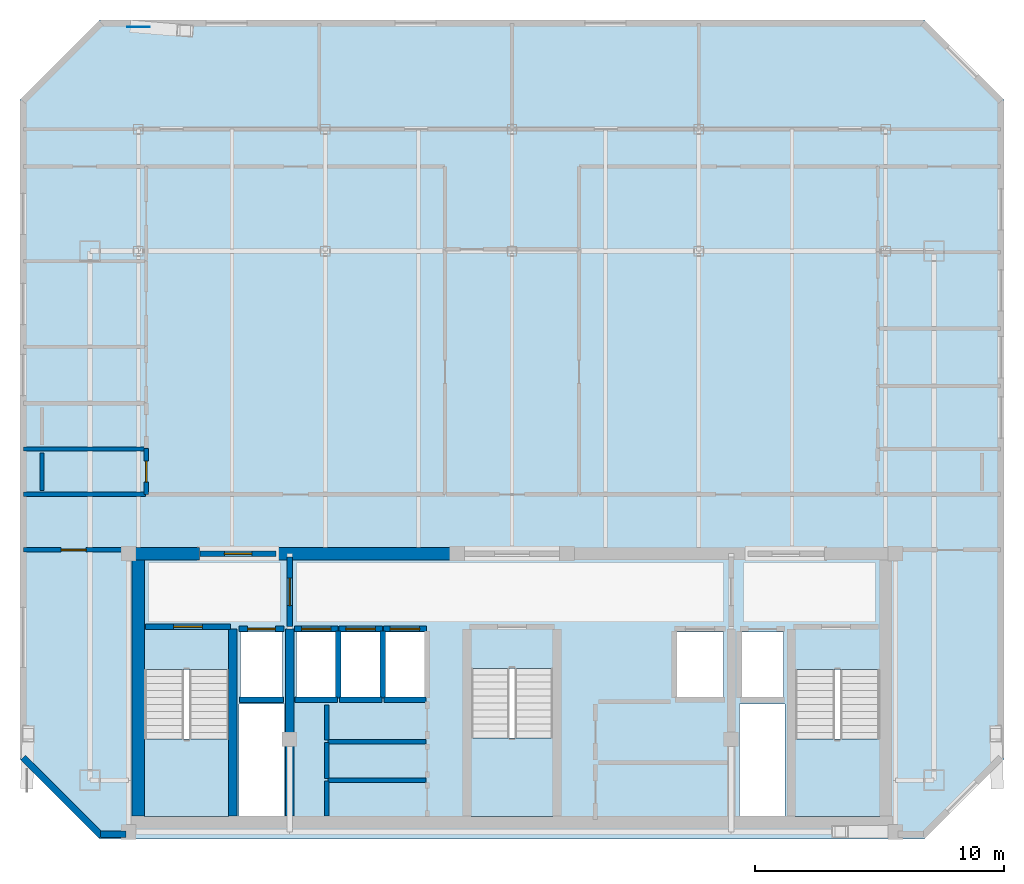
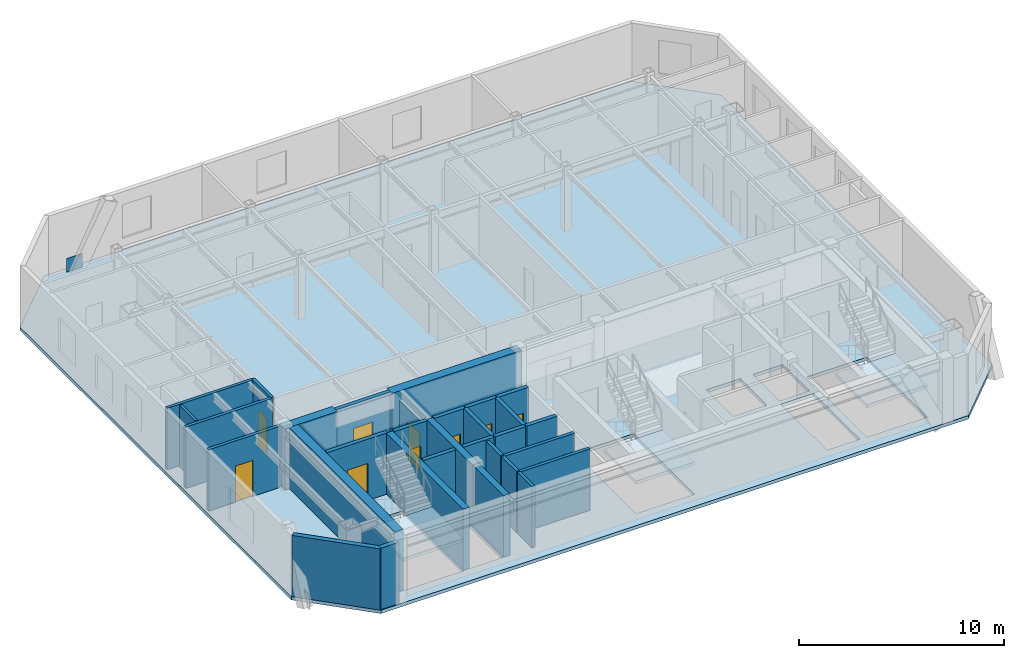
# One storey, part 2 of 7: 30 walls, 9 doors, 4 slabs, 1 plate, 9 openings, 3 elements without a shape of their own.
"""IFC4 building model written with IfcOpenShell, lengths in metres."""

from ifc_helpers import new_model, si_unit, direction, frame, frame_2d, origin, origin_2d, place, context, subcontext, project, spatial, polyline, rectangle, outline, extrude, material, layer, layer_set, type_object, element, fill, aggregate, save


model = new_model("IFC4")

# Units and contexts
model_context = context("Model", 3, precision=1e-05, world=origin(), true_north=direction((0.0, 1.0)))
body_context = subcontext(model_context, "Body", "Model", "MODEL_VIEW")
ifc_project = project(units=[si_unit("LENGTHUNIT", "METRE"), si_unit("AREAUNIT", "SQUARE_METRE"), si_unit("VOLUMEUNIT", "CUBIC_METRE"), si_unit("PLANEANGLEUNIT", "RADIAN"), si_unit("MASSUNIT", "GRAM", prefix="KILO")], contexts=[model_context])

# Site, building, storey
site_placement = place(None, origin())
site = spatial("IfcSite", under=ifc_project, at=site_placement, CompositionType="ELEMENT")
building_placement = place(site_placement, origin())
building = spatial("IfcBuilding", under=site, at=building_placement, Name="Ventersveld Concourse Tower", CompositionType="ELEMENT")
storey_placement = place(building_placement, frame((0.0, 0.0, 316.89990234375)))
storey = spatial("IfcBuildingStorey", under=building, at=storey_placement, Name="L78", CompositionType="ELEMENT", Elevation=316.89990234375)

# Plate
ifc_material_1 = material(Name="Structural steel S355J2", Category="steel")
ifc_layer_1 = layer(ifc_material_1, 0.030029296875)
ifc_layer_set_1 = layer_set([ifc_layer_1], Name="Structural steel S355J2")
plate_type = type_object("IfcPlateType", Name="PL-CAP-30", PredefinedType="USERDEFINED", material=ifc_layer_set_1)
plate_placement = place(storey_placement, frame((13.75, 32.601806640625, -0.099853515625), z_axis=(0.0, 0.0, 1.0), x_axis=(1.0, 0.0, 0.0)))
element("IfcPlate", 1, at=plate_placement, inside=storey, type_object=plate_type, Name="L78 Mega-Brace Gusset Node Plate M19-N", ObjectType="GUSSET_PLATE", PredefinedType="USERDEFINED", context=body_context, shape_type="SweptSolid", body=[
    extrude(rectangle(XDim=0.89990234375, YDim=0.030029296875, at=origin_2d()), origin(), (0.0, 0.0, 1.0), 0.89990234375),
])

# Slab
ifc_material_2 = material(Name="Concrete C50/60", Category="concrete")
ifc_layer_2 = layer(ifc_material_2, 0.199951171875)
ifc_layer_set_2 = layer_set([ifc_layer_2], Name="Concrete C50/60")
slab_type_1 = type_object("IfcSlabType", Name="SL-FLR-200", PredefinedType="FLOOR", material=ifc_layer_set_2)
slab_1_placement = place(storey_placement, frame((0.0, 0.0, -0.199951171875)))
element("IfcSlab", 2, at=slab_1_placement, inside=storey, type_object=slab_type_1, Name="L78 Composite Floor Slab", PredefinedType="FLOOR", context=body_context, shape_type="SweptSolid", body=[
    extrude(outline(polyline([(12.193115234375, 0.0), (45.306884765625, 0.0), (48.507080078125, 3.199951171875), (48.507080078125, 29.681884765625), (45.306884765625, 32.8818359375), (12.193115234375, 32.8818359375), (8.992919921875, 29.681884765625), (8.992919921875, 3.199951171875), (12.193115234375, 0.0)]), holes=[polyline([(13.97998046875, 6.794921875), (13.97998046875, 0.89990234375), (17.3798828125, 0.89990234375), (17.3798828125, 6.794921875), (13.97998046875, 6.794921875)]), polyline([(40.1201171875, 6.794921875), (40.1201171875, 0.89990234375), (43.52001953125, 0.89990234375), (43.52001953125, 6.794921875), (40.1201171875, 6.794921875)]), polyline([(27.10009765625, 6.844970703125), (27.10009765625, 0.89990234375), (30.39990234375, 0.89990234375), (30.39990234375, 6.844970703125), (27.10009765625, 6.844970703125)]), polyline([(17.85009765625, 5.699951171875), (19.530029296875, 5.699951171875), (19.530029296875, 8.300048828125), (17.85009765625, 8.300048828125), (17.85009765625, 5.699951171875)]), polyline([(37.969970703125, 5.699951171875), (39.64990234375, 5.699951171875), (39.64990234375, 8.300048828125), (37.969970703125, 8.300048828125), (37.969970703125, 5.699951171875)]), polyline([(35.35009765625, 5.699951171875), (37.25, 5.699951171875), (37.25, 8.300048828125), (35.35009765625, 8.300048828125), (35.35009765625, 5.699951171875)]), polyline([(20.090087890625, 5.699951171875), (21.68994140625, 5.699951171875), (21.68994140625, 8.300048828125), (20.090087890625, 8.300048828125), (20.090087890625, 5.699951171875)]), polyline([(21.8701171875, 5.699951171875), (23.469970703125, 5.699951171875), (23.469970703125, 8.300048828125), (21.8701171875, 8.300048828125), (21.8701171875, 5.699951171875)]), polyline([(23.64990234375, 5.699951171875), (25.25, 5.699951171875), (25.25, 8.300048828125), (23.64990234375, 8.300048828125), (23.64990234375, 5.699951171875)]), polyline([(17.780029296875, 0.919921875), (19.6201171875, 0.919921875), (19.6201171875, 5.419921875), (17.780029296875, 5.419921875), (17.780029296875, 0.919921875)]), polyline([(37.8798828125, 0.919921875), (39.719970703125, 0.919921875), (39.719970703125, 5.419921875), (37.8798828125, 5.419921875), (37.8798828125, 0.919921875)])]), origin(), (0.0, 0.0, 1.0), 0.199951171875),
])

# Stair, slab
stair_type_1 = type_object("IfcStairType", Name="ST-DOG-160", PredefinedType="HALF_TURN_STAIR", material=ifc_material_2)
stair_1_placement = place(storey_placement, origin())
stair_1 = element("IfcStair", 3, at=stair_1_placement, inside=storey, type_object=stair_type_1, Name="L78 Protected Tower Escape Stair ST-01", PredefinedType="HALF_TURN_STAIR")
ifc_layer_3 = layer(ifc_material_2, 0.199951171875)
ifc_layer_set_3 = layer_set([ifc_layer_3], Name="Concrete C50/60")
slab_type_2 = type_object("IfcSlabType", Name="SL-LND-200", PredefinedType="LANDING", material=ifc_layer_set_3)
slab_2_placement = place(storey_placement, frame((0.0, 0.0, 1.72509765625)))
slab_2 = element("IfcSlab", 4, at=slab_2_placement, type_object=slab_type_2, Name="ST-01 landing 1", PredefinedType="LANDING", context=body_context, shape_type="SweptSolid", body=[
    extrude(outline(polyline([(13.97998046875, 4.0), (13.97998046875, 0.89990234375), (17.3798828125, 0.89990234375), (17.3798828125, 4.0), (13.97998046875, 4.0)])), origin(), (0.0, 0.0, 1.0), 0.199951171875),
])
aggregate(stair_1, [slab_2])

stair_2_placement = place(storey_placement, origin())
stair_2 = element("IfcStair", 5, at=stair_2_placement, inside=storey, type_object=stair_type_1, Name="L78 Protected Tower Escape Stair ST-02", PredefinedType="HALF_TURN_STAIR")
slab_3_placement = place(storey_placement, frame((0.0, 0.0, 1.72509765625)))
slab_3 = element("IfcSlab", 6, at=slab_3_placement, type_object=slab_type_2, Name="ST-02 landing 1", PredefinedType="LANDING", context=body_context, shape_type="SweptSolid", body=[
    extrude(outline(polyline([(40.1201171875, 4.0), (40.1201171875, 0.89990234375), (43.52001953125, 0.89990234375), (43.52001953125, 4.0), (40.1201171875, 4.0)])), origin(), (0.0, 0.0, 1.0), 0.199951171875),
])
aggregate(stair_2, [slab_3])

stair_type_2 = type_object("IfcStairType", Name="ST-DOG-155", PredefinedType="HALF_TURN_STAIR", material=ifc_material_2)
stair_3_placement = place(storey_placement, origin())
stair_3 = element("IfcStair", 7, at=stair_3_placement, inside=storey, type_object=stair_type_2, Name="L78 Protected Central Core Escape Stair ST-03", PredefinedType="HALF_TURN_STAIR")
slab_4_placement = place(storey_placement, frame((0.0, 0.0, 1.72509765625)))
slab_4 = element("IfcSlab", 8, at=slab_4_placement, type_object=slab_type_2, Name="ST-03 landing 1", PredefinedType="LANDING", context=body_context, shape_type="SweptSolid", body=[
    extrude(outline(polyline([(27.10009765625, 4.050048828125), (27.10009765625, 0.89990234375), (30.39990234375, 0.89990234375), (30.39990234375, 4.050048828125), (27.10009765625, 4.050048828125)])), origin(), (0.0, 0.0, 1.0), 0.199951171875),
])
aggregate(stair_3, [slab_4])

# Walls
ifc_layer_4 = layer(ifc_material_2, 0.35009765625)
ifc_layer_set_4 = layer_set([ifc_layer_4], Name="Concrete C50/60")
wall_type_1 = type_object("IfcWallType", Name="WL-CORE-350U", PredefinedType="SHEAR", material=ifc_layer_set_4)
for number, where, z_axis, x_axis, name in (
    (9, (17.5400390625, 0.919921875, 0.0), (0.0, 0.0, 1.0), (0.0, 1.0, 0.0), "L78 Core Internal Shear Web W-ST1-E"),
    (10, (19.820068359375, 0.919921875, 0.0), (0.0, 0.0, 1.0), (0.0, 1.0, 0.0), "L78 Core Internal Shear Web W-FF1-E"),
):
    element("IfcWall", number, at=place(storey_placement, frame(where, z_axis=z_axis, x_axis=x_axis)), inside=storey, type_object=wall_type_1, Name=name, PredefinedType="SHEAR", context=body_context, shape_type="SweptSolid", body=[
        extrude(rectangle(XDim=7.5, YDim=0.35009765625, at=frame_2d((3.75, 0.0))), origin(), (0.0, 0.0, 1.0), 3.650146484375),
    ])
ifc_layer_5 = layer(ifc_material_2, 0.5)
ifc_layer_set_5 = layer_set([ifc_layer_5], Name="Concrete C50/60")
wall_type_2 = type_object("IfcWallType", Name="WL-CORE-500", PredefinedType="SHEAR", material=ifc_layer_set_5)
wall_1_placement = place(storey_placement, frame((13.75, 0.919921875, 0.0), z_axis=(0.0, 0.0, 1.0), x_axis=(0.0, 1.0, 0.0)))
element("IfcWall", 11, at=wall_1_placement, inside=storey, type_object=wall_type_2, Name="L78 Rear Core West Shear Wall", PredefinedType="SHEAR", context=body_context, shape_type="SweptSolid", body=[
    extrude(rectangle(XDim=10.530029296875, YDim=0.5, at=frame_2d((5.26513671875, 0.0))), origin(), (0.0, 0.0, 1.0), 3.650146484375),
])
wall_2_placement = place(storey_placement, frame((13.25, 11.449951171875, 0.0), z_axis=(0.0, 0.0, 1.0), x_axis=(1.0, 0.0, 0.0)))
element("IfcWall", 12, at=wall_2_placement, inside=storey, type_object=wall_type_2, Name="L78 Rear Core North Shear Wall NW", PredefinedType="SHEAR", context=body_context, shape_type="SweptSolid", body=[
    extrude(rectangle(XDim=2.949951171875, YDim=0.5, at=frame_2d((1.47509765625, 0.0))), origin(), (0.0, 0.0, 1.0), 3.650146484375),
])
wall_3_placement = place(storey_placement, frame((19.300048828125, 11.449951171875, 0.0), z_axis=(0.0, 0.0, 1.0), x_axis=(1.0, 0.0, 0.0)))
element("IfcWall", 13, at=wall_3_placement, inside=storey, type_object=wall_type_2, Name="L78 Rear Core North Shear Wall NML", PredefinedType="SHEAR", context=body_context, shape_type="SweptSolid", body=[
    extrude(rectangle(XDim=7.300048828125, YDim=0.5, at=frame_2d((3.64990234375, 0.0))), origin(), (0.0, 0.0, 1.0), 3.650146484375),
])
ifc_material_3 = material(Name="Fire-rated autoclaved aerated masonry blockwork", Category="masonry")
ifc_layer_6 = layer(ifc_material_3, 0.179931640625)
ifc_layer_set_6 = layer_set([ifc_layer_6], Name="Fire-rated autoclaved aerated masonry blockwork")
wall_type_3 = type_object("IfcWallType", Name="WL-CORR-180", PredefinedType="PARTITIONING", material=ifc_layer_set_6)
wall_4_placement = place(storey_placement, frame((21.360107421875, 2.360107421875, 0.0), z_axis=(0.0, 0.0, 1.0), x_axis=(1.0, 0.0, 0.0)))
element("IfcWall", 14, at=wall_4_placement, inside=storey, type_object=wall_type_3, Name="L78 Core Top Wall SP-L78-RECB1S", PredefinedType="PARTITIONING", context=body_context, shape_type="SweptSolid", body=[
    extrude(rectangle(XDim=3.93994140625, YDim=0.179931640625, at=frame_2d((1.969970703125, 0.0))), origin(), (0.0, 0.0, 1.0), 3.650146484375),
])
wall_5_placement = place(storey_placement, frame((21.320068359375, 0.909912109375, 0.0), z_axis=(0.0, 0.0, 1.0), x_axis=(0.0, 1.0, 0.0)))
element("IfcWall", 15, at=wall_5_placement, inside=storey, type_object=wall_type_3, Name="L78 Core West Wall SP-L78-RECB1S", PredefinedType="PARTITIONING", context=body_context, shape_type="SweptSolid", body=[
    extrude(rectangle(XDim=1.41015625, YDim=0.179931640625, at=frame_2d((0.705078125, 0.0))), origin(), (0.0, 0.0, 1.0), 3.650146484375),
])
wall_6_placement = place(storey_placement, frame((21.360107421875, 3.89990234375, 0.0), z_axis=(0.0, 0.0, 1.0), x_axis=(1.0, 0.0, 0.0)))
element("IfcWall", 16, at=wall_6_placement, inside=storey, type_object=wall_type_3, Name="L78 Core Top Wall SP-L78-RECB1M", PredefinedType="PARTITIONING", context=body_context, shape_type="SweptSolid", body=[
    extrude(rectangle(XDim=3.93994140625, YDim=0.179931640625, at=frame_2d((1.969970703125, 0.0))), origin(), (0.0, 0.0, 1.0), 3.650146484375),
])
wall_7_placement = place(storey_placement, frame((21.320068359375, 2.419921875, 0.0), z_axis=(0.0, 0.0, 1.0), x_axis=(0.0, 1.0, 0.0)))
element("IfcWall", 17, at=wall_7_placement, inside=storey, type_object=wall_type_3, Name="L78 Core West Wall SP-L78-RECB1M", PredefinedType="PARTITIONING", context=body_context, shape_type="SweptSolid", body=[
    extrude(rectangle(XDim=1.440185546875, YDim=0.179931640625, at=frame_2d((0.72021484375, 0.0))), origin(), (0.0, 0.0, 1.0), 3.650146484375),
])
wall_8_placement = place(storey_placement, frame((21.320068359375, 3.9599609375, 0.0), z_axis=(0.0, 0.0, 1.0), x_axis=(0.0, 1.0, 0.0)))
element("IfcWall", 18, at=wall_8_placement, inside=storey, type_object=wall_type_3, Name="L78 Core West Wall SP-L78-RECB1N", PredefinedType="PARTITIONING", context=body_context, shape_type="SweptSolid", body=[
    extrude(rectangle(XDim=1.419921875, YDim=0.179931640625, at=frame_2d((0.7099609375, 0.0))), origin(), (0.0, 0.0, 1.0), 3.650146484375),
])

# Wall, opening, door
wall_9_placement = place(storey_placement, frame((9.142578125, 11.60009765625, 0.0), z_axis=(0.0, 0.0, 1.0), x_axis=(1.0, 0.0, 0.0)))
wall_9 = element("IfcWall", 19, at=wall_9_placement, inside=storey, type_object=wall_type_3, Name="L78 Interior Partition SP-L78-SW-GAL-SP-L78-COR", PredefinedType="PARTITIONING", context=body_context, shape_type="SweptSolid", body=[
    extrude(rectangle(XDim=4.00244140625, YDim=0.179931640625, at=frame_2d((2.001220703125, 0.0))), origin(), (0.0, 0.0, 1.0), 3.650146484375),
])
opening_1_placement = place(wall_9_placement, frame((1.501220703125, 0.0, 0.0)))
opening_1 = element("IfcOpeningElement", 20, at=opening_1_placement, cuts=wall_9, Name="Opening FD3", PredefinedType="OPENING", context=body_context, shape_type="SweptSolid", body=[
    extrude(rectangle(XDim=1.0, YDim=2.14990234375, at=frame_2d((0.5, 1.074951171875))), frame((0.0, 0.10009765625, 0.0), z_axis=(0.0, -1.0, 0.0), x_axis=(1.0, 0.0, 0.0)), (0.0, 0.0, 1.0), 0.199951171875),
])
ifc_material_4 = material(Name="Solid-core hardwood veneer timber", Category="wood")
door_type_1 = type_object("IfcDoorType", Name="DR-FLAT-100", OperationType="NOTDEFINED", PredefinedType="DOOR", material=ifc_material_4)
door_1_placement = place(opening_1_placement, origin())
door_1 = element("IfcDoor", 21, at=door_1_placement, inside=storey, type_object=door_type_1, Name="L78 Interior Door SP-L78-SW-GAL to SP-L78-COR (D-L78-3566)", OperationType="SINGLE_SWING_RIGHT", OverallHeight=2.14990234375, OverallWidth=1.0, PredefinedType="DOOR", context=body_context, shape_type="SweptSolid", body=[
    extrude(rectangle(XDim=1.0, YDim=2.14990234375, at=frame_2d((0.5, 1.074951171875))), frame((0.0, 0.02490234375, 0.0), z_axis=(0.0, -1.0, 0.0), x_axis=(1.0, 0.0, 0.0)), (0.0, 0.0, 1.0), 0.050048828125),
])
fill(opening_1, door_1)

# Walls
wall_10_placement = place(storey_placement, frame((9.142578125, 13.830078125, 0.0), z_axis=(0.0, 0.0, 1.0), x_axis=(1.0, 0.0, 0.0)))
element("IfcWall", 22, at=wall_10_placement, inside=storey, type_object=wall_type_3, Name="L78 Interior Partition SP-L78-COR-SP-L78-78N1-BATH", PredefinedType="PARTITIONING", context=body_context, shape_type="SweptSolid", body=[
    extrude(rectangle(XDim=4.885498046875, YDim=0.179931640625, at=frame_2d((2.44287109375, 0.0))), origin(), (0.0, 0.0, 1.0), 3.650146484375),
])
ifc_layer_7 = layer(ifc_material_3, 0.219970703125)
ifc_layer_set_7 = layer_set([ifc_layer_7], Name="Fire-rated autoclaved aerated masonry blockwork")
wall_type_4 = type_object("IfcWallType", Name="WL-HOIST-220", PredefinedType="SOLIDWALL", material=ifc_layer_set_7)
wall_11_placement = place(storey_placement, frame((17.800048828125, 5.590087890625, 0.0), z_axis=(0.0, 0.0, 1.0), x_axis=(1.0, 0.0, 0.0)))
element("IfcWall", 23, at=wall_11_placement, inside=storey, type_object=wall_type_4, Name="L78 Lift Hoistway Back Wall FFL-01", PredefinedType="SOLIDWALL", context=body_context, shape_type="SweptSolid", body=[
    extrude(rectangle(XDim=1.780029296875, YDim=0.219970703125, at=frame_2d((0.89013671875, 0.0))), origin(), (0.0, 0.0, 1.0), 3.650146484375),
])

# Wall, opening, door
wall_12_placement = place(storey_placement, frame((17.780029296875, 8.429931640625, 0.0), z_axis=(0.0, 0.0, 1.0), x_axis=(1.0, 0.0, 0.0)))
wall_12 = element("IfcWall", 24, at=wall_12_placement, inside=storey, type_object=wall_type_4, Name="L78 Lift Hoistway Front Wall FFL-01", PredefinedType="SOLIDWALL", context=body_context, shape_type="SweptSolid", body=[
    extrude(rectangle(XDim=1.820068359375, YDim=0.219970703125, at=frame_2d((0.91015625, 0.0))), origin(), (0.0, 0.0, 1.0), 3.650146484375),
])
opening_2_placement = place(wall_12_placement, frame((0.35009765625, 0.0, 0.0)))
opening_2 = element("IfcOpeningElement", 25, at=opening_2_placement, cuts=wall_12, Name="Opening LD1", PredefinedType="OPENING", context=body_context, shape_type="SweptSolid", body=[
    extrude(rectangle(XDim=1.1201171875, YDim=2.25, at=frame_2d((0.56005859375, 1.125))), frame((0.0, 0.1201171875, 0.0), z_axis=(0.0, -1.0, 0.0), x_axis=(1.0, 0.0, 0.0)), (0.0, 0.0, 1.0), 0.239990234375),
])
ifc_material_5 = material(Name="Brushed stainless steel 316", Category="steel")
door_type_2 = type_object("IfcDoorType", Name="LD-FF-112", OperationType="SLIDING_TO_LEFT", PredefinedType="DOOR", material=ifc_material_5)
door_2_placement = place(opening_2_placement, origin())
door_2 = element("IfcDoor", 26, at=door_2_placement, inside=storey, type_object=door_type_2, Name="L78 Lift landing door FFL-01 (LD-L78-FFL-01)", OperationType="SLIDING_TO_RIGHT", OverallHeight=2.25, OverallWidth=1.1201171875, PredefinedType="DOOR", context=body_context, shape_type="SweptSolid", body=[
    extrude(rectangle(XDim=1.1201171875, YDim=2.25, at=frame_2d((0.56005859375, 1.125))), frame((0.0, 0.02490234375, 0.0), z_axis=(0.0, -1.0, 0.0), x_axis=(1.0, 0.0, 0.0)), (0.0, 0.0, 1.0), 0.050048828125),
])
fill(opening_2, door_2)

# Walls
wall_13_placement = place(storey_placement, frame((20.0400390625, 5.590087890625, 0.0), z_axis=(0.0, 0.0, 1.0), x_axis=(1.0, 0.0, 0.0)))
element("IfcWall", 27, at=wall_13_placement, inside=storey, type_object=wall_type_4, Name="L78 Lift Hoistway Back Wall PH-01", PredefinedType="SOLIDWALL", context=body_context, shape_type="SweptSolid", body=[
    extrude(rectangle(XDim=1.699951171875, YDim=0.219970703125, at=frame_2d((0.85009765625, 0.0))), origin(), (0.0, 0.0, 1.0), 3.650146484375),
])
wall_14_placement = place(storey_placement, frame((21.780029296875, 5.64990234375, 0.0), z_axis=(0.0, 0.0, 1.0), x_axis=(0.0, 1.0, 0.0)))
element("IfcWall", 28, at=wall_14_placement, inside=storey, type_object=wall_type_4, Name="L78 Lift Hoistway Side Wall PH-01E", PredefinedType="SOLIDWALL", context=body_context, shape_type="SweptSolid", body=[
    extrude(rectangle(XDim=2.7001953125, YDim=0.219970703125, at=frame_2d((1.35009765625, 0.0))), origin(), (0.0, 0.0, 1.0), 3.650146484375),
])

# Wall, opening, door
wall_15_placement = place(storey_placement, frame((20.02001953125, 8.429931640625, 0.0), z_axis=(0.0, 0.0, 1.0), x_axis=(1.0, 0.0, 0.0)))
wall_15 = element("IfcWall", 29, at=wall_15_placement, inside=storey, type_object=wall_type_4, Name="L78 Lift Hoistway Front Wall PH-01", PredefinedType="SOLIDWALL", context=body_context, shape_type="SweptSolid", body=[
    extrude(rectangle(XDim=1.739990234375, YDim=0.219970703125, at=frame_2d((0.8701171875, 0.0))), origin(), (0.0, 0.0, 1.0), 3.650146484375),
])
opening_3_placement = place(wall_15_placement, frame((0.280029296875, 0.0, 0.0)))
opening_3 = element("IfcOpeningElement", 30, at=opening_3_placement, cuts=wall_15, Name="Opening LD2", PredefinedType="OPENING", context=body_context, shape_type="SweptSolid", body=[
    extrude(rectangle(XDim=1.179931640625, YDim=2.199951171875, at=frame_2d((0.58984375, 1.10009765625))), frame((0.0, 0.1201171875, 0.0), z_axis=(0.0, -1.0, 0.0), x_axis=(1.0, 0.0, 0.0)), (0.0, 0.0, 1.0), 0.239990234375),
])
door_type_3 = type_object("IfcDoorType", Name="LD-PAX-118", OperationType="SLIDING_TO_LEFT", PredefinedType="DOOR", material=ifc_material_5)
door_3_placement = place(opening_3_placement, origin())
door_3 = element("IfcDoor", 31, at=door_3_placement, inside=storey, type_object=door_type_3, Name="L78 Lift landing door PH-01 (LD-L78-PH-01)", OperationType="SLIDING_TO_LEFT", OverallHeight=2.199951171875, OverallWidth=1.179931640625, PredefinedType="DOOR", context=body_context, shape_type="SweptSolid", body=[
    extrude(rectangle(XDim=1.179931640625, YDim=2.199951171875, at=frame_2d((0.58984375, 1.10009765625))), frame((0.0, 0.02490234375, 0.0), z_axis=(0.0, -1.0, 0.0), x_axis=(1.0, 0.0, 0.0)), (0.0, 0.0, 1.0), 0.050048828125),
])
fill(opening_3, door_3)

# Walls
wall_16_placement = place(storey_placement, frame((21.820068359375, 5.590087890625, 0.0), z_axis=(0.0, 0.0, 1.0), x_axis=(1.0, 0.0, 0.0)))
element("IfcWall", 32, at=wall_16_placement, inside=storey, type_object=wall_type_4, Name="L78 Lift Hoistway Back Wall PH-02", PredefinedType="SOLIDWALL", context=body_context, shape_type="SweptSolid", body=[
    extrude(rectangle(XDim=1.699951171875, YDim=0.219970703125, at=frame_2d((0.85009765625, 0.0))), origin(), (0.0, 0.0, 1.0), 3.650146484375),
])
wall_17_placement = place(storey_placement, frame((23.56005859375, 5.64990234375, 0.0), z_axis=(0.0, 0.0, 1.0), x_axis=(0.0, 1.0, 0.0)))
element("IfcWall", 33, at=wall_17_placement, inside=storey, type_object=wall_type_4, Name="L78 Lift Hoistway Side Wall PH-02E", PredefinedType="SOLIDWALL", context=body_context, shape_type="SweptSolid", body=[
    extrude(rectangle(XDim=2.7001953125, YDim=0.219970703125, at=frame_2d((1.35009765625, 0.0))), origin(), (0.0, 0.0, 1.0), 3.650146484375),
])

# Wall, opening, door
wall_18_placement = place(storey_placement, frame((21.800048828125, 8.429931640625, 0.0), z_axis=(0.0, 0.0, 1.0), x_axis=(1.0, 0.0, 0.0)))
wall_18 = element("IfcWall", 34, at=wall_18_placement, inside=storey, type_object=wall_type_4, Name="L78 Lift Hoistway Front Wall PH-02", PredefinedType="SOLIDWALL", context=body_context, shape_type="SweptSolid", body=[
    extrude(rectangle(XDim=1.739990234375, YDim=0.219970703125, at=frame_2d((0.8701171875, 0.0))), origin(), (0.0, 0.0, 1.0), 3.650146484375),
])
opening_4_placement = place(wall_18_placement, frame((0.280029296875, 0.0, 0.0)))
opening_4 = element("IfcOpeningElement", 35, at=opening_4_placement, cuts=wall_18, Name="Opening LD2", PredefinedType="OPENING", context=body_context, shape_type="SweptSolid", body=[
    extrude(rectangle(XDim=1.179931640625, YDim=2.199951171875, at=frame_2d((0.58984375, 1.10009765625))), frame((0.0, 0.1201171875, 0.0), z_axis=(0.0, -1.0, 0.0), x_axis=(1.0, 0.0, 0.0)), (0.0, 0.0, 1.0), 0.239990234375),
])
door_4_placement = place(opening_4_placement, origin())
door_4 = element("IfcDoor", 36, at=door_4_placement, inside=storey, type_object=door_type_3, Name="L78 Lift landing door PH-02 (LD-L78-PH-02)", OperationType="SLIDING_TO_RIGHT", OverallHeight=2.199951171875, OverallWidth=1.179931640625, PredefinedType="DOOR", context=body_context, shape_type="SweptSolid", body=[
    extrude(rectangle(XDim=1.179931640625, YDim=2.199951171875, at=frame_2d((0.58984375, 1.10009765625))), frame((0.0, 0.02490234375, 0.0), z_axis=(0.0, -1.0, 0.0), x_axis=(1.0, 0.0, 0.0)), (0.0, 0.0, 1.0), 0.050048828125),
])
fill(opening_4, door_4)

# Wall
wall_19_placement = place(storey_placement, frame((23.60009765625, 5.590087890625, 0.0), z_axis=(0.0, 0.0, 1.0), x_axis=(1.0, 0.0, 0.0)))
element("IfcWall", 37, at=wall_19_placement, inside=storey, type_object=wall_type_4, Name="L78 Lift Hoistway Back Wall PH-03", PredefinedType="SOLIDWALL", context=body_context, shape_type="SweptSolid", body=[
    extrude(rectangle(XDim=1.699951171875, YDim=0.219970703125, at=frame_2d((0.85009765625, 0.0))), origin(), (0.0, 0.0, 1.0), 3.650146484375),
])

# Wall, opening, door
wall_20_placement = place(storey_placement, frame((23.580078125, 8.429931640625, 0.0), z_axis=(0.0, 0.0, 1.0), x_axis=(1.0, 0.0, 0.0)))
wall_20 = element("IfcWall", 38, at=wall_20_placement, inside=storey, type_object=wall_type_4, Name="L78 Lift Hoistway Front Wall PH-03", PredefinedType="SOLIDWALL", context=body_context, shape_type="SweptSolid", body=[
    extrude(rectangle(XDim=1.739990234375, YDim=0.219970703125, at=frame_2d((0.8701171875, 0.0))), origin(), (0.0, 0.0, 1.0), 3.650146484375),
])
opening_5_placement = place(wall_20_placement, frame((0.280029296875, 0.0, 0.0)))
opening_5 = element("IfcOpeningElement", 39, at=opening_5_placement, cuts=wall_20, Name="Opening LD2", PredefinedType="OPENING", context=body_context, shape_type="SweptSolid", body=[
    extrude(rectangle(XDim=1.179931640625, YDim=2.199951171875, at=frame_2d((0.58984375, 1.10009765625))), frame((0.0, 0.1201171875, 0.0), z_axis=(0.0, -1.0, 0.0), x_axis=(1.0, 0.0, 0.0)), (0.0, 0.0, 1.0), 0.239990234375),
])
door_5_placement = place(opening_5_placement, origin())
door_5 = element("IfcDoor", 40, at=door_5_placement, inside=storey, type_object=door_type_3, Name="L78 Lift landing door PH-03 (LD-L78-PH-03)", OperationType="SLIDING_TO_LEFT", OverallHeight=2.199951171875, OverallWidth=1.179931640625, PredefinedType="DOOR", context=body_context, shape_type="SweptSolid", body=[
    extrude(rectangle(XDim=1.179931640625, YDim=2.199951171875, at=frame_2d((0.58984375, 1.10009765625))), frame((0.0, 0.02490234375, 0.0), z_axis=(0.0, -1.0, 0.0), x_axis=(1.0, 0.0, 0.0)), (0.0, 0.0, 1.0), 0.050048828125),
])
fill(opening_5, door_5)

wall_21_placement = place(storey_placement, frame((14.0400390625, 8.52001953125, 0.0), z_axis=(0.0, 0.0, 1.0), x_axis=(1.0, 0.0, 0.0)))
wall_21 = element("IfcWall", 41, at=wall_21_placement, inside=storey, type_object=wall_type_4, Name="L78 Escape Stair ST01 Fire Wall", PredefinedType="SOLIDWALL", context=body_context, shape_type="SweptSolid", body=[
    extrude(rectangle(XDim=3.39990234375, YDim=0.219970703125, at=frame_2d((1.699951171875, 0.0))), origin(), (0.0, 0.0, 1.0), 3.650146484375),
])
opening_6_placement = place(wall_21_placement, frame((1.125, 0.0, 0.0)))
opening_6 = element("IfcOpeningElement", 42, at=opening_6_placement, cuts=wall_21, Name="Opening FD1", PredefinedType="OPENING", context=body_context, shape_type="SweptSolid", body=[
    extrude(rectangle(XDim=1.14990234375, YDim=2.199951171875, at=frame_2d((0.574951171875, 1.10009765625))), frame((0.0, 0.1201171875, 0.0), z_axis=(0.0, -1.0, 0.0), x_axis=(1.0, 0.0, 0.0)), (0.0, 0.0, 1.0), 0.239990234375),
])
ifc_material_6 = material(Name="Galvanised painted steel", Category="steel")
door_type_4 = type_object("IfcDoorType", Name="DR-STAIR-115", OperationType="NOTDEFINED", PredefinedType="DOOR", material=ifc_material_6)
door_6_placement = place(opening_6_placement, origin())
door_6 = element("IfcDoor", 43, at=door_6_placement, inside=storey, type_object=door_type_4, Name="L78 Escape Stair Door ST01 (SD-L78-3553)", OperationType="SINGLE_SWING_LEFT", OverallHeight=2.199951171875, OverallWidth=1.14990234375, PredefinedType="DOOR", context=body_context, shape_type="SweptSolid", body=[
    extrude(rectangle(XDim=1.14990234375, YDim=2.199951171875, at=frame_2d((0.574951171875, 1.10009765625))), frame((0.0, 0.02490234375, 0.0), z_axis=(0.0, -1.0, 0.0), x_axis=(1.0, 0.0, 0.0)), (0.0, 0.0, 1.0), 0.050048828125),
])
fill(opening_6, door_6)

wall_22_placement = place(storey_placement, frame((19.820068359375, 8.52001953125, 0.0), z_axis=(0.0, 0.0, 1.0), x_axis=(0.0, 1.0, 0.0)))
wall_22 = element("IfcWall", 44, at=wall_22_placement, inside=storey, type_object=wall_type_4, Name="L78 Firefighting Lobby Smoke-Stop Wall FFLW-SEP", PredefinedType="SOLIDWALL", context=body_context, shape_type="SweptSolid", body=[
    extrude(rectangle(XDim=2.800048828125, YDim=0.219970703125, at=frame_2d((1.39990234375, 0.0))), origin(), (0.0, 0.0, 1.0), 3.105712890625),
])
opening_7_placement = place(wall_22_placement, frame((0.85009765625, 0.0, 0.0)))
opening_7 = element("IfcOpeningElement", 45, at=opening_7_placement, cuts=wall_22, Name="Opening FD2", PredefinedType="OPENING", context=body_context, shape_type="SweptSolid", body=[
    extrude(rectangle(XDim=1.10009765625, YDim=2.199951171875, at=frame_2d((0.550048828125, 1.10009765625))), frame((0.0, 0.1201171875, 0.0), z_axis=(0.0, -1.0, 0.0), x_axis=(1.0, 0.0, 0.0)), (0.0, 0.0, 1.0), 0.239990234375),
])
door_type_5 = type_object("IfcDoorType", Name="DR-FFL-110", OperationType="NOTDEFINED", PredefinedType="DOOR", material=ifc_material_6)
door_7_placement = place(opening_7_placement, origin())
door_7 = element("IfcDoor", 46, at=door_7_placement, inside=storey, type_object=door_type_5, Name="L78 Firefighting Lobby Door FFLW-SEP (FD-L78-3556)", OperationType="SINGLE_SWING_LEFT", OverallHeight=2.199951171875, OverallWidth=1.10009765625, PredefinedType="DOOR", context=body_context, shape_type="SweptSolid", body=[
    extrude(rectangle(XDim=1.10009765625, YDim=2.199951171875, at=frame_2d((0.550048828125, 1.10009765625))), frame((0.0, 0.02490234375, 0.0), z_axis=(0.0, -1.0, 0.0), x_axis=(1.0, 0.0, 0.0)), (0.0, 0.0, 1.0), 0.050048828125),
])
fill(opening_7, door_7)

wall_23_placement = place(storey_placement, frame((16.22998046875, 11.449951171875, 0.0), z_axis=(0.0, 0.0, 1.0), x_axis=(1.0, 0.0, 0.0)))
wall_23 = element("IfcWall", 47, at=wall_23_placement, inside=storey, type_object=wall_type_4, Name="L78 Core North Fire Portal FFLW-OUT", PredefinedType="SOLIDWALL", context=body_context, shape_type="SweptSolid", body=[
    extrude(rectangle(XDim=3.0400390625, YDim=0.219970703125, at=frame_2d((1.52001953125, 0.0))), origin(), (0.0, 0.0, 1.0), 3.650146484375),
])
opening_8_placement = place(wall_23_placement, frame((0.969970703125, 0.0, 0.0)))
opening_8 = element("IfcOpeningElement", 48, at=opening_8_placement, cuts=wall_23, Name="Opening FD2", PredefinedType="OPENING", context=body_context, shape_type="SweptSolid", body=[
    extrude(rectangle(XDim=1.10009765625, YDim=2.199951171875, at=frame_2d((0.550048828125, 1.10009765625))), frame((0.0, 0.1201171875, 0.0), z_axis=(0.0, -1.0, 0.0), x_axis=(1.0, 0.0, 0.0)), (0.0, 0.0, 1.0), 0.239990234375),
])
door_8_placement = place(opening_8_placement, origin())
door_8 = element("IfcDoor", 49, at=door_8_placement, inside=storey, type_object=door_type_5, Name="L78 Core Lobby Fire Door FFLW-OUT (FD-L78-3558)", OperationType="SINGLE_SWING_RIGHT", OverallHeight=2.199951171875, OverallWidth=1.10009765625, PredefinedType="DOOR", context=body_context, shape_type="SweptSolid", body=[
    extrude(rectangle(XDim=1.10009765625, YDim=2.199951171875, at=frame_2d((0.550048828125, 1.10009765625))), frame((0.0, 0.02490234375, 0.0), z_axis=(0.0, -1.0, 0.0), x_axis=(1.0, 0.0, 0.0)), (0.0, 0.0, 1.0), 0.050048828125),
])
fill(opening_8, door_8)

# Walls
ifc_material_7 = material(Name="Precast concrete C45/55", Category="concrete")
ifc_layer_8 = layer(ifc_material_7, 0.260009765625)
ifc_layer_set_8 = layer_set([ifc_layer_8], Name="Precast concrete C45/55")
wall_type_5 = type_object("IfcWallType", Name="WL-PREC-260", PredefinedType="SOLIDWALL", material=ifc_layer_set_8)
wall_24_placement = place(storey_placement, frame((12.23291015625, 0.179931640625, 0.0), z_axis=(0.0, 0.0, 1.0), x_axis=(1.0, 0.0, 0.0)))
element("IfcWall", 50, at=wall_24_placement, inside=storey, type_object=wall_type_5, Name="L78 South-West Flank Precast Wall", PredefinedType="SOLIDWALL", context=body_context, shape_type="SweptSolid", body=[
    extrude(rectangle(XDim=1.01708984375, YDim=0.260009765625, at=frame_2d((0.508544921875, 0.0))), origin(), (0.0, 0.0, 1.0), 3.650146484375),
])
wall_25_placement = place(storey_placement, frame((9.11328125, 3.263671875, 0.0), z_axis=(0.0, 0.0, 1.0), x_axis=(0.707079321262, -0.707134240044, 0.0)))
element("IfcWall", 51, at=wall_25_placement, inside=storey, type_object=wall_type_5, Name="L78 Highveld Precast Facade Wall E08", PredefinedType="SOLIDWALL", context=body_context, shape_type="SweptSolid", body=[
    extrude(rectangle(XDim=4.445556640625, YDim=0.260009765625, at=frame_2d((2.22265625, 0.0))), origin(), (0.0, 0.0, 1.0), 3.650146484375),
])

# Wall, opening, door
ifc_material_8 = material(Name="Autoclaved aerated masonry blockwork", Category="masonry")
ifc_layer_9 = layer(ifc_material_8, 0.1650390625)
ifc_layer_set_9 = layer_set([ifc_layer_9], Name="Autoclaved aerated masonry blockwork")
wall_type_6 = type_object("IfcWallType", Name="WL-WET-165", PredefinedType="PLUMBINGWALL", material=ifc_layer_set_9)
wall_26_placement = place(storey_placement, frame((14.06298828125, 13.824951171875, 0.0), z_axis=(0.0, 0.0, 1.0), x_axis=(0.0, 1.0, 0.0)))
wall_26 = element("IfcWall", 52, at=wall_26_placement, inside=storey, type_object=wall_type_6, Name="L78 Interior Partition SP-L78-78N1-WGAL1-SP-L78-78N1-BATH", PredefinedType="PLUMBINGWALL", context=body_context, shape_type="SweptSolid", body=[
    extrude(rectangle(XDim=1.840087890625, YDim=0.1650390625, at=frame_2d((0.919921875, 0.0))), origin(), (0.0, 0.0, 1.0), 3.650146484375),
])
opening_9_placement = place(wall_26_placement, frame((0.4951171875, 0.0, 0.0)))
opening_9 = element("IfcOpeningElement", 53, at=opening_9_placement, cuts=wall_26, Name="Opening ID2", PredefinedType="OPENING", context=body_context, shape_type="SweptSolid", body=[
    extrude(rectangle(XDim=0.85009765625, YDim=2.10009765625, at=frame_2d((0.425048828125, 1.050048828125))), frame((0.0, 0.092529296875, 0.0), z_axis=(0.0, -1.0, 0.0), x_axis=(1.0, 0.0, 0.0)), (0.0, 0.0, 1.0), 0.18505859375),
])
door_type_6 = type_object("IfcDoorType", Name="DR-BATH-085", OperationType="NOTDEFINED", PredefinedType="DOOR", material=ifc_material_4)
door_9_placement = place(opening_9_placement, origin())
door_9 = element("IfcDoor", 54, at=door_9_placement, inside=storey, type_object=door_type_6, Name="L78 Interior Door SP-L78-78N1-WGAL1 to SP-L78-78N1-BATH (D-L78-3573)", OperationType="SINGLE_SWING_LEFT", OverallHeight=2.10009765625, OverallWidth=0.85009765625, PredefinedType="DOOR", context=body_context, shape_type="SweptSolid", body=[
    extrude(rectangle(XDim=0.85009765625, YDim=2.10009765625, at=frame_2d((0.425048828125, 1.050048828125))), frame((0.0, 0.02490234375, 0.0), z_axis=(0.0, -1.0, 0.0), x_axis=(1.0, 0.0, 0.0)), (0.0, 0.0, 1.0), 0.050048828125),
])
fill(opening_9, door_9)

# Walls
wall_27_placement = place(storey_placement, frame((9.142578125, 15.659912109375, 0.0), z_axis=(0.0, 0.0, 1.0), x_axis=(1.0, 0.0, 0.0)))
element("IfcWall", 55, at=wall_27_placement, inside=storey, type_object=wall_type_6, Name="L78 Interior Partition SP-L78-78N1-BATH-SP-L78-78N1-PWDL6", PredefinedType="PLUMBINGWALL", context=body_context, shape_type="SweptSolid", body=[
    extrude(rectangle(XDim=4.925537109375, YDim=0.1650390625, at=frame_2d((2.462890625, 0.0))), origin(), (0.0, 0.0, 1.0), 3.650146484375),
])
wall_28_placement = place(storey_placement, frame((9.873046875, 13.9951171875, 0.0), z_axis=(0.0, 0.0, 1.0), x_axis=(0.0, 1.0, 0.0)))
element("IfcWall", 56, at=wall_28_placement, inside=storey, type_object=wall_type_6, Name="L78 Room Enclosure Wall SP-L78-78N1-BATH", PredefinedType="PLUMBINGWALL", context=body_context, shape_type="SweptSolid", body=[
    extrude(rectangle(XDim=1.5, YDim=0.1650390625, at=frame_2d((0.75, 0.0))), origin(), (0.0, 0.0, 1.0), 3.650146484375),
])

save(model, "model.ifc")
